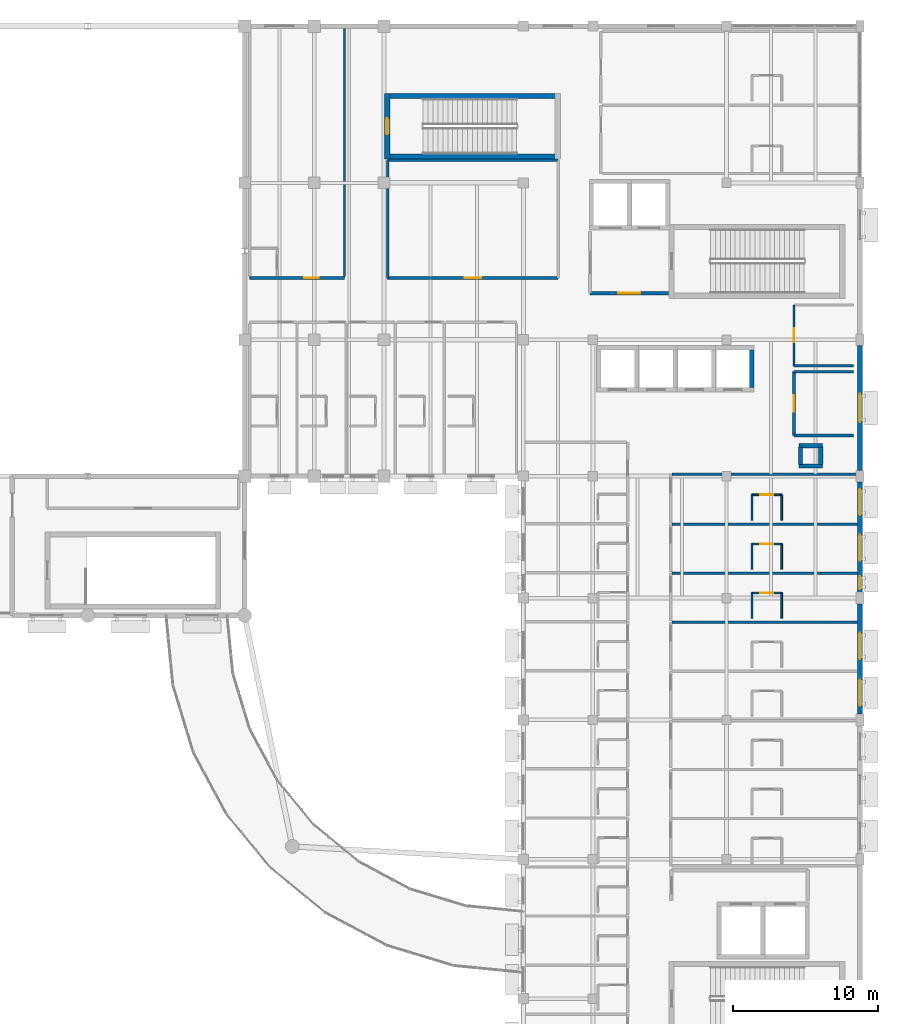
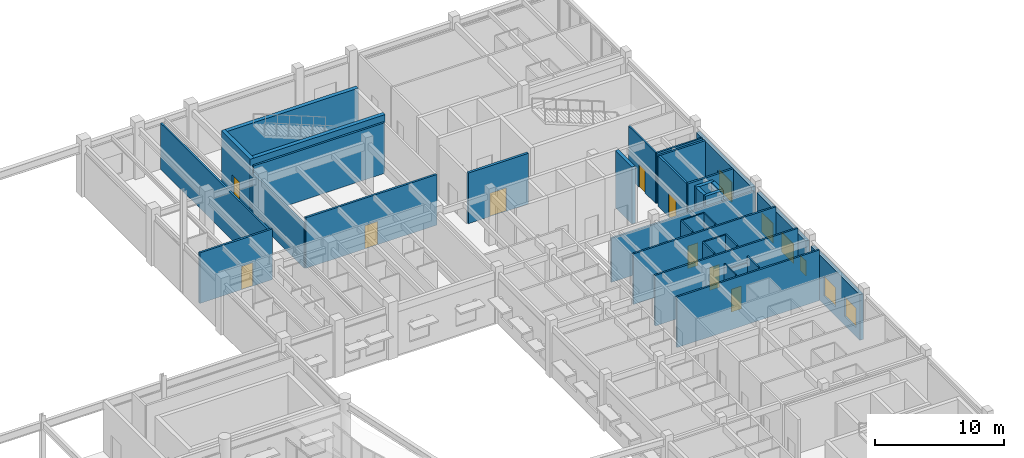
# One storey, part 55 of 68: 35 walls, 9 doors, 6 windows, 15 openings.
"""IFC4 building model written with IfcOpenShell, lengths in metres."""

from ifc_helpers import new_model, si_unit, direction, frame, frame_2d, origin, place, context, subcontext, project, spatial, rectangle, extrude, material, layer, layer_set, type_object, element, fill, save


model = new_model("IFC4")

# Units and contexts
model_context = context("Model", 3, precision=1e-05, world=origin(), true_north=direction((0.0, 1.0)))
body_context = subcontext(model_context, "Body", "Model", "MODEL_VIEW")
ifc_project = project(units=[si_unit("LENGTHUNIT", "METRE"), si_unit("AREAUNIT", "SQUARE_METRE"), si_unit("VOLUMEUNIT", "CUBIC_METRE"), si_unit("PLANEANGLEUNIT", "RADIAN"), si_unit("MASSUNIT", "GRAM", prefix="KILO")], contexts=[model_context])

# Site, building, storey
site_placement = place(None, origin())
site = spatial("IfcSite", under=ifc_project, at=site_placement, CompositionType="ELEMENT")
building_placement = place(site_placement, origin())
building = spatial("IfcBuilding", under=site, at=building_placement, Name="Veldera Park Congress Hotel", CompositionType="ELEMENT")
storey_placement = place(building_placement, frame((0.0, 0.0, 10.800048828125)))
storey = spatial("IfcBuildingStorey", under=building, at=storey_placement, Name="L02", CompositionType="ELEMENT", Elevation=10.800048828125)

# Wall, openings, windows
ifc_material_1 = material(Name="Cross-laminated timber CLT V2M1.1", Category="wood")
ifc_layer_1 = layer(ifc_material_1, 0.320068359375)
ifc_layer_set_1 = layer_set([ifc_layer_1], Name="Cross-laminated timber CLT V2M1.1")
wall_type_1 = type_object("IfcWallType", Name="EW-CLT320", PredefinedType="STANDARD", material=ifc_layer_set_1)
wall_1_placement = place(storey_placement, frame((84.0, 10.597900390625, 0.0), z_axis=(0.0, 0.0, 1.0), x_axis=(0.0, 1.0, 0.0)))
wall_1 = element("IfcWall", 1, at=wall_1_placement, inside=storey, type_object=wall_type_1, Name="L02 Exterior Wall EW3-L02-0182", PredefinedType="STANDARD", context=body_context, shape_type="SweptSolid", body=[
    extrude(rectangle(XDim=7.60400390625, YDim=0.320068359375, at=frame_2d((3.802001953125, 0.0))), origin(), (0.0, 0.0, 1.0), 4.33203125),
])
opening_1_placement = place(wall_1_placement, frame((0.575927734375, 0.0, 0.85009765625)))
opening_1 = element("IfcOpeningElement", 2, at=opening_1_placement, cuts=wall_1, Name="Opening WIN-1800", PredefinedType="OPENING", context=body_context, shape_type="SweptSolid", body=[
    extrude(rectangle(XDim=1.800048828125, YDim=1.85009765625, at=frame_2d((0.89990234375, 0.925048828125))), frame((0.0, 0.172119140625, 0.0), z_axis=(0.0, -1.0, 0.0), x_axis=(1.0, 0.0, 0.0)), (0.0, 0.0, 1.0), 0.343994140625),
])
opening_2_placement = place(wall_1_placement, frame((3.802001953125, 0.0, 0.85009765625)))
opening_2 = element("IfcOpeningElement", 3, at=opening_2_placement, cuts=wall_1, Name="Opening WIN-1800", PredefinedType="OPENING", context=body_context, shape_type="SweptSolid", body=[
    extrude(rectangle(XDim=1.800048828125, YDim=1.85009765625, at=frame_2d((0.89990234375, 0.925048828125))), frame((0.0, 0.172119140625, 0.0), z_axis=(0.0, -1.0, 0.0), x_axis=(1.0, 0.0, 0.0)), (0.0, 0.0, 1.0), 0.343994140625),
])
ifc_material_2 = material(Name="Low-E Triple Insulating Glass Unit (SHGC 0.22)", Category="glass")
window_type_1 = type_object("IfcWindowType", Name="WIN-1800", PartitioningType="SINGLE_PANEL", PredefinedType="WINDOW", material=ifc_material_2)
window_1_placement = place(opening_1_placement, origin())
window_1 = element("IfcWindow", 4, at=window_1_placement, inside=storey, type_object=window_type_1, Name="L02 Window WIN-1800 389", OverallHeight=1.85009765625, OverallWidth=1.800048828125, PartitioningType="SINGLE_PANEL", PredefinedType="WINDOW", context=body_context, shape_type="SweptSolid", body=[
    extrude(rectangle(XDim=1.800048828125, YDim=1.85009765625, at=frame_2d((0.89990234375, 0.925048828125))), frame((0.0, 0.030029296875, 0.0), z_axis=(0.0, -1.0, 0.0), x_axis=(1.0, 0.0, 0.0)), (0.0, 0.0, 1.0), 0.06005859375),
])
fill(opening_1, window_1)
window_2_placement = place(opening_2_placement, origin())
window_2 = element("IfcWindow", 5, at=window_2_placement, inside=storey, type_object=window_type_1, Name="L02 Window WIN-1800 390", OverallHeight=1.85009765625, OverallWidth=1.800048828125, PartitioningType="SINGLE_PANEL", PredefinedType="WINDOW", context=body_context, shape_type="SweptSolid", body=[
    extrude(rectangle(XDim=1.800048828125, YDim=1.85009765625, at=frame_2d((0.89990234375, 0.925048828125))), frame((0.0, 0.030029296875, 0.0), z_axis=(0.0, -1.0, 0.0), x_axis=(1.0, 0.0, 0.0)), (0.0, 0.0, 1.0), 0.06005859375),
])
fill(opening_2, window_2)

wall_2_placement = place(storey_placement, frame((84.0, 18.998046875, 0.0), z_axis=(0.0, 0.0, 1.0), x_axis=(0.0, 1.0, 0.0)))
wall_2 = element("IfcWall", 6, at=wall_2_placement, inside=storey, type_object=wall_type_1, Name="L02 Exterior Wall EW3-L02-0183", PredefinedType="STANDARD", context=body_context, shape_type="SweptSolid", body=[
    extrude(rectangle(XDim=7.60400390625, YDim=0.320068359375, at=frame_2d((3.802001953125, 0.0))), origin(), (0.0, 0.0, 1.0), 4.33203125),
])
opening_3_placement = place(wall_2_placement, frame((0.2060546875, 0.0, 0.85009765625)))
opening_3 = element("IfcOpeningElement", 7, at=opening_3_placement, cuts=wall_2, Name="Opening WIN-0900", PredefinedType="OPENING", context=body_context, shape_type="SweptSolid", body=[
    extrude(rectangle(XDim=0.89990234375, YDim=1.39990234375, at=frame_2d((0.449951171875, 0.699951171875))), frame((0.0, 0.172119140625, 0.0), z_axis=(0.0, -1.0, 0.0), x_axis=(1.0, 0.0, 0.0)), (0.0, 0.0, 1.0), 0.343994140625),
])
opening_4_placement = place(wall_2_placement, frame((2.162109375, 0.0, 0.85009765625)))
opening_4 = element("IfcOpeningElement", 8, at=opening_4_placement, cuts=wall_2, Name="Opening WIN-1800", PredefinedType="OPENING", context=body_context, shape_type="SweptSolid", body=[
    extrude(rectangle(XDim=1.800048828125, YDim=1.85009765625, at=frame_2d((0.89990234375, 0.925048828125))), frame((0.0, 0.172119140625, 0.0), z_axis=(0.0, -1.0, 0.0), x_axis=(1.0, 0.0, 0.0)), (0.0, 0.0, 1.0), 0.343994140625),
])
opening_5_placement = place(wall_2_placement, frame((5.30810546875, 0.0, 0.85009765625)))
opening_5 = element("IfcOpeningElement", 9, at=opening_5_placement, cuts=wall_2, Name="Opening WIN-1800", PredefinedType="OPENING", context=body_context, shape_type="SweptSolid", body=[
    extrude(rectangle(XDim=1.800048828125, YDim=1.85009765625, at=frame_2d((0.89990234375, 0.925048828125))), frame((0.0, 0.172119140625, 0.0), z_axis=(0.0, -1.0, 0.0), x_axis=(1.0, 0.0, 0.0)), (0.0, 0.0, 1.0), 0.343994140625),
])
window_type_2 = type_object("IfcWindowType", Name="WIN-0900", PartitioningType="SINGLE_PANEL", PredefinedType="WINDOW", material=ifc_material_2)
window_3_placement = place(opening_3_placement, origin())
window_3 = element("IfcWindow", 10, at=window_3_placement, inside=storey, type_object=window_type_2, Name="L02 Window WIN-0900 391", OverallHeight=1.39990234375, OverallWidth=0.89990234375, PartitioningType="SINGLE_PANEL", PredefinedType="WINDOW", context=body_context, shape_type="SweptSolid", body=[
    extrude(rectangle(XDim=0.89990234375, YDim=1.39990234375, at=frame_2d((0.449951171875, 0.699951171875))), frame((0.0, 0.030029296875, 0.0), z_axis=(0.0, -1.0, 0.0), x_axis=(1.0, 0.0, 0.0)), (0.0, 0.0, 1.0), 0.06005859375),
])
fill(opening_3, window_3)
window_4_placement = place(opening_4_placement, origin())
window_4 = element("IfcWindow", 11, at=window_4_placement, inside=storey, type_object=window_type_1, Name="L02 Window WIN-1800 392", OverallHeight=1.85009765625, OverallWidth=1.800048828125, PartitioningType="SINGLE_PANEL", PredefinedType="WINDOW", context=body_context, shape_type="SweptSolid", body=[
    extrude(rectangle(XDim=1.800048828125, YDim=1.85009765625, at=frame_2d((0.89990234375, 0.925048828125))), frame((0.0, 0.030029296875, 0.0), z_axis=(0.0, -1.0, 0.0), x_axis=(1.0, 0.0, 0.0)), (0.0, 0.0, 1.0), 0.06005859375),
])
fill(opening_4, window_4)
window_5_placement = place(opening_5_placement, origin())
window_5 = element("IfcWindow", 12, at=window_5_placement, inside=storey, type_object=window_type_1, Name="L02 Window WIN-1800 393", OverallHeight=1.85009765625, OverallWidth=1.800048828125, PartitioningType="SINGLE_PANEL", PredefinedType="WINDOW", context=body_context, shape_type="SweptSolid", body=[
    extrude(rectangle(XDim=1.800048828125, YDim=1.85009765625, at=frame_2d((0.89990234375, 0.925048828125))), frame((0.0, 0.030029296875, 0.0), z_axis=(0.0, -1.0, 0.0), x_axis=(1.0, 0.0, 0.0)), (0.0, 0.0, 1.0), 0.06005859375),
])
fill(opening_5, window_5)

# Wall, opening, window
wall_3_placement = place(storey_placement, frame((84.0, 27.39794921875, 0.0), z_axis=(0.0, 0.0, 1.0), x_axis=(0.0, 1.0, 0.0)))
wall_3 = element("IfcWall", 13, at=wall_3_placement, inside=storey, type_object=wall_type_1, Name="L02 Exterior Wall EW3-L02-0184", PredefinedType="STANDARD", context=body_context, shape_type="SweptSolid", body=[
    extrude(rectangle(XDim=8.60400390625, YDim=0.320068359375, at=frame_2d((4.302001953125, 0.0))), origin(), (0.0, 0.0, 1.0), 4.33203125),
])
opening_6_placement = place(wall_3_placement, frame((3.326904296875, 0.0, 0.85009765625)))
opening_6 = element("IfcOpeningElement", 14, at=opening_6_placement, cuts=wall_3, Name="Opening WIN-1950", PredefinedType="OPENING", context=body_context, shape_type="SweptSolid", body=[
    extrude(rectangle(XDim=1.949951171875, YDim=1.89990234375, at=frame_2d((0.97509765625, 0.949951171875))), frame((0.0, 0.172119140625, 0.0), z_axis=(0.0, -1.0, 0.0), x_axis=(1.0, 0.0, 0.0)), (0.0, 0.0, 1.0), 0.343994140625),
])
window_type_3 = type_object("IfcWindowType", Name="WIN-1950", PartitioningType="DOUBLE_PANEL_VERTICAL", PredefinedType="WINDOW", material=ifc_material_2)
window_6_placement = place(opening_6_placement, origin())
window_6 = element("IfcWindow", 15, at=window_6_placement, inside=storey, type_object=window_type_3, Name="L02 Window WIN-1950 180", OverallHeight=1.89990234375, OverallWidth=1.949951171875, PartitioningType="DOUBLE_PANEL_VERTICAL", PredefinedType="WINDOW", context=body_context, shape_type="SweptSolid", body=[
    extrude(rectangle(XDim=1.949951171875, YDim=1.89990234375, at=frame_2d((0.97509765625, 0.949951171875))), frame((0.0, 0.030029296875, 0.0), z_axis=(0.0, -1.0, 0.0), x_axis=(1.0, 0.0, 0.0)), (0.0, 0.0, 1.0), 0.06005859375),
])
fill(opening_6, window_6)

# Walls
ifc_material_3 = material(Name="Fire-Rated Gypsum Board on Cold-Formed Steel Studs", Category="steel")
ifc_layer_2 = layer(ifc_material_3, 0.1201171875)
ifc_layer_set_2 = layer_set([ifc_layer_2], Name="Fire-Rated Gypsum Board on Cold-Formed Steel Studs")
wall_type_2 = type_object("IfcWallType", Name="IW-BATH120", PredefinedType="PARTITIONING", material=ifc_layer_set_2)
for number, where, z_axis, x_axis, name in (
    (16, (76.550048828125, 17.199951171875, 0.0), (0.0, 0.0, 1.0), (0.0, 1.0, 0.0), "L02 Partition Wall IW3-L02-00532"),
    (17, (78.60009765625, 17.199951171875, 0.0), (0.0, 0.0, 1.0), (0.0, 1.0, 0.0), "L02 Partition Wall IW3-L02-00533"),
):
    element("IfcWall", number, at=place(storey_placement, frame(where, z_axis=z_axis, x_axis=x_axis)), inside=storey, type_object=wall_type_2, Name=name, PredefinedType="PARTITIONING", context=body_context, shape_type="SweptSolid", body=[
        extrude(rectangle(XDim=1.75, YDim=0.1201171875, at=frame_2d((0.875, 0.0))), origin(), (0.0, 0.0, 1.0), 4.800048828125),
    ])

# Wall, opening, door
wall_4_placement = place(storey_placement, frame((76.550048828125, 18.949951171875, 0.0), z_axis=(0.0, 0.0, 1.0), x_axis=(1.0, 0.0, 0.0)))
wall_4 = element("IfcWall", 18, at=wall_4_placement, inside=storey, type_object=wall_type_2, Name="L02 Partition Wall IW3-L02-00534", PredefinedType="PARTITIONING", context=body_context, shape_type="SweptSolid", body=[
    extrude(rectangle(XDim=2.050048828125, YDim=0.1201171875, at=frame_2d((1.02490234375, 0.0))), origin(), (0.0, 0.0, 1.0), 4.175048828125),
])
opening_7_placement = place(wall_4_placement, frame((0.574951171875, 0.0, 0.0)))
opening_7 = element("IfcOpeningElement", 19, at=opening_7_placement, cuts=wall_4, Name="Opening ID-BATH090", PredefinedType="OPENING", context=body_context, shape_type="SweptSolid", body=[
    extrude(rectangle(XDim=0.89990234375, YDim=2.14990234375, at=frame_2d((0.449951171875, 1.074951171875))), frame((0.0, 0.072021484375, 0.0), z_axis=(0.0, -1.0, 0.0), x_axis=(1.0, 0.0, 0.0)), (0.0, 0.0, 1.0), 0.14404296875),
])
ifc_material_4 = material(Name="Solid Core White Oak Architectural Door", Category="wood")
door_type_1 = type_object("IfcDoorType", Name="ID-BATH090", OperationType="NOTDEFINED", PredefinedType="DOOR", material=ifc_material_4)
door_1_placement = place(opening_7_placement, origin())
door_1 = element("IfcDoor", 20, at=door_1_placement, inside=storey, type_object=door_type_1, Name="L02 En-suite 038 Door ID3-L02-0215 (DR3-ID3-L02-0215)", OperationType="SINGLE_SWING_LEFT", OverallHeight=2.14990234375, OverallWidth=0.89990234375, PredefinedType="DOOR", context=body_context, shape_type="SweptSolid", body=[
    extrude(rectangle(XDim=0.89990234375, YDim=2.14990234375, at=frame_2d((0.449951171875, 1.074951171875))), frame((0.0, 0.02490234375, 0.0), z_axis=(0.0, -1.0, 0.0), x_axis=(1.0, 0.0, 0.0)), (0.0, 0.0, 1.0), 0.050048828125),
])
fill(opening_7, door_1)

# Walls
for number, where, z_axis, x_axis, name in (
    (21, (76.550048828125, 20.580078125, 0.0), (0.0, 0.0, 1.0), (0.0, 1.0, 0.0), "L02 Partition Wall IW3-L02-00537"),
    (22, (78.60009765625, 20.580078125, 0.0), (0.0, 0.0, 1.0), (0.0, 1.0, 0.0), "L02 Partition Wall IW3-L02-00538"),
):
    element("IfcWall", number, at=place(storey_placement, frame(where, z_axis=z_axis, x_axis=x_axis)), inside=storey, type_object=wall_type_2, Name=name, PredefinedType="PARTITIONING", context=body_context, shape_type="SweptSolid", body=[
        extrude(rectangle(XDim=1.75, YDim=0.1201171875, at=frame_2d((0.875, 0.0))), origin(), (0.0, 0.0, 1.0), 4.800048828125),
    ])

# Wall, opening, door
wall_5_placement = place(storey_placement, frame((76.550048828125, 22.330078125, 0.0), z_axis=(0.0, 0.0, 1.0), x_axis=(1.0, 0.0, 0.0)))
wall_5 = element("IfcWall", 23, at=wall_5_placement, inside=storey, type_object=wall_type_2, Name="L02 Partition Wall IW3-L02-00539", PredefinedType="PARTITIONING", context=body_context, shape_type="SweptSolid", body=[
    extrude(rectangle(XDim=2.050048828125, YDim=0.1201171875, at=frame_2d((1.02490234375, 0.0))), origin(), (0.0, 0.0, 1.0), 4.800048828125),
])
opening_8_placement = place(wall_5_placement, frame((0.574951171875, 0.0, 0.0)))
opening_8 = element("IfcOpeningElement", 24, at=opening_8_placement, cuts=wall_5, Name="Opening ID-BATH090", PredefinedType="OPENING", context=body_context, shape_type="SweptSolid", body=[
    extrude(rectangle(XDim=0.89990234375, YDim=2.14990234375, at=frame_2d((0.449951171875, 1.074951171875))), frame((0.0, 0.072021484375, 0.0), z_axis=(0.0, -1.0, 0.0), x_axis=(1.0, 0.0, 0.0)), (0.0, 0.0, 1.0), 0.14404296875),
])
door_2_placement = place(opening_8_placement, origin())
door_2 = element("IfcDoor", 25, at=door_2_placement, inside=storey, type_object=door_type_1, Name="L02 En-suite 039 Door ID3-L02-0217 (DR3-ID3-L02-0217)", OperationType="SINGLE_SWING_LEFT", OverallHeight=2.14990234375, OverallWidth=0.89990234375, PredefinedType="DOOR", context=body_context, shape_type="SweptSolid", body=[
    extrude(rectangle(XDim=0.89990234375, YDim=2.14990234375, at=frame_2d((0.449951171875, 1.074951171875))), frame((0.0, 0.02490234375, 0.0), z_axis=(0.0, -1.0, 0.0), x_axis=(1.0, 0.0, 0.0)), (0.0, 0.0, 1.0), 0.050048828125),
])
fill(opening_8, door_2)

# Walls
for number, where, z_axis, x_axis, name in (
    (26, (76.550048828125, 23.9599609375, 0.0), (0.0, 0.0, 1.0), (0.0, 1.0, 0.0), "L02 Partition Wall IW3-L02-00542"),
    (27, (78.60009765625, 23.9599609375, 0.0), (0.0, 0.0, 1.0), (0.0, 1.0, 0.0), "L02 Partition Wall IW3-L02-00543"),
):
    element("IfcWall", number, at=place(storey_placement, frame(where, z_axis=z_axis, x_axis=x_axis)), inside=storey, type_object=wall_type_2, Name=name, PredefinedType="PARTITIONING", context=body_context, shape_type="SweptSolid", body=[
        extrude(rectangle(XDim=1.75, YDim=0.1201171875, at=frame_2d((0.875, 0.0))), origin(), (0.0, 0.0, 1.0), 4.800048828125),
    ])

# Wall, opening, door
wall_6_placement = place(storey_placement, frame((76.550048828125, 25.7099609375, 0.0), z_axis=(0.0, 0.0, 1.0), x_axis=(1.0, 0.0, 0.0)))
wall_6 = element("IfcWall", 28, at=wall_6_placement, inside=storey, type_object=wall_type_2, Name="L02 Partition Wall IW3-L02-00544", PredefinedType="PARTITIONING", context=body_context, shape_type="SweptSolid", body=[
    extrude(rectangle(XDim=2.050048828125, YDim=0.1201171875, at=frame_2d((1.02490234375, 0.0))), origin(), (0.0, 0.0, 1.0), 4.800048828125),
])
opening_9_placement = place(wall_6_placement, frame((0.574951171875, 0.0, 0.0)))
opening_9 = element("IfcOpeningElement", 29, at=opening_9_placement, cuts=wall_6, Name="Opening ID-BATH090", PredefinedType="OPENING", context=body_context, shape_type="SweptSolid", body=[
    extrude(rectangle(XDim=0.89990234375, YDim=2.14990234375, at=frame_2d((0.449951171875, 1.074951171875))), frame((0.0, 0.072021484375, 0.0), z_axis=(0.0, -1.0, 0.0), x_axis=(1.0, 0.0, 0.0)), (0.0, 0.0, 1.0), 0.14404296875),
])
door_3_placement = place(opening_9_placement, origin())
door_3 = element("IfcDoor", 30, at=door_3_placement, inside=storey, type_object=door_type_1, Name="L02 En-suite 040 Door ID3-L02-0219 (DR3-ID3-L02-0219)", OperationType="SINGLE_SWING_LEFT", OverallHeight=2.14990234375, OverallWidth=0.89990234375, PredefinedType="DOOR", context=body_context, shape_type="SweptSolid", body=[
    extrude(rectangle(XDim=0.89990234375, YDim=2.14990234375, at=frame_2d((0.449951171875, 1.074951171875))), frame((0.0, 0.02490234375, 0.0), z_axis=(0.0, -1.0, 0.0), x_axis=(1.0, 0.0, 0.0)), (0.0, 0.0, 1.0), 0.050048828125),
])
fill(opening_9, door_3)

# Walls
ifc_layer_3 = layer(ifc_material_3, 0.179931640625)
ifc_layer_set_3 = layer_set([ifc_layer_3], Name="Fire-Rated Gypsum Board on Cold-Formed Steel Studs")
wall_type_3 = type_object("IfcWallType", Name="IW-CORR180", PredefinedType="PARTITIONING", material=ifc_layer_set_3)
for number, where, z_axis, x_axis, name in (
    (31, (79.449951171875, 29.800048828125, 0.0), (0.0, 0.0, 1.0), (1.0, 0.0, 0.0), "L02 Partition Wall IW3-L02-00201"),
    (32, (83.550048828125, 34.199951171875, 0.0), (0.0, 0.0, 1.0), (-1.0, 0.0, 0.0), "L02 Partition Wall IW3-L02-00202"),
):
    element("IfcWall", number, at=place(storey_placement, frame(where, z_axis=z_axis, x_axis=x_axis)), inside=storey, type_object=wall_type_3, Name=name, PredefinedType="PARTITIONING", context=body_context, shape_type="SweptSolid", body=[
        extrude(rectangle(XDim=4.10009765625, YDim=0.179931640625, at=frame_2d((2.050048828125, 0.0))), origin(), (0.0, 0.0, 1.0), 4.800048828125),
    ])

# Wall, opening, door
wall_7_placement = place(storey_placement, frame((79.449951171875, 34.199951171875, 0.0), z_axis=(0.0, 0.0, 1.0), x_axis=(0.0, -1.0, 0.0)))
wall_7 = element("IfcWall", 33, at=wall_7_placement, inside=storey, type_object=wall_type_3, Name="L02 Partition Wall IW3-L02-00203", PredefinedType="PARTITIONING", context=body_context, shape_type="SweptSolid", body=[
    extrude(rectangle(XDim=4.39990234375, YDim=0.179931640625, at=frame_2d((2.199951171875, 0.0))), origin(), (0.0, 0.0, 1.0), 4.800048828125),
])
opening_10_placement = place(wall_7_placement, frame((1.625, 0.0, 0.0)))
opening_10 = element("IfcOpeningElement", 34, at=opening_10_placement, cuts=wall_7, Name="Opening ID-MEET115", PredefinedType="OPENING", context=body_context, shape_type="SweptSolid", body=[
    extrude(rectangle(XDim=1.14990234375, YDim=2.199951171875, at=frame_2d((0.574951171875, 1.10009765625))), frame((0.0, 0.10205078125, 0.0), z_axis=(0.0, -1.0, 0.0), x_axis=(1.0, 0.0, 0.0)), (0.0, 0.0, 1.0), 0.203857421875),
])
door_type_2 = type_object("IfcDoorType", Name="ID-MEET115", OperationType="NOTDEFINED", PredefinedType="DOOR", material=ifc_material_4)
door_4_placement = place(opening_10_placement, origin())
door_4 = element("IfcDoor", 35, at=door_4_placement, inside=storey, type_object=door_type_2, Name="L02 L02 Housekeeping and Linen Store Door ID3-L02-0071 (DR3-ID3-L02-0071)", OperationType="SINGLE_SWING_LEFT", OverallHeight=2.199951171875, OverallWidth=1.14990234375, PredefinedType="DOOR", context=body_context, shape_type="SweptSolid", body=[
    extrude(rectangle(XDim=1.14990234375, YDim=2.199951171875, at=frame_2d((0.574951171875, 1.10009765625))), frame((0.0, 0.02490234375, 0.0), z_axis=(0.0, -1.0, 0.0), x_axis=(1.0, 0.0, 0.0)), (0.0, 0.0, 1.0), 0.050048828125),
])
fill(opening_10, door_4)

wall_8_placement = place(storey_placement, frame((51.449951171875, 40.64990234375, 0.0), z_axis=(0.0, 0.0, 1.0), x_axis=(1.0, 0.0, 0.0)))
wall_8 = element("IfcWall", 36, at=wall_8_placement, inside=storey, type_object=wall_type_3, Name="L02 Partition Wall IW3-L02-00207", PredefinedType="PARTITIONING", context=body_context, shape_type="SweptSolid", body=[
    extrude(rectangle(XDim=11.75, YDim=0.179931640625, at=frame_2d((5.875, 0.0))), origin(), (0.0, 0.0, 1.0), 4.800048828125),
])
opening_11_placement = place(wall_8_placement, frame((5.300048828125, 0.0, 0.0)))
opening_11 = element("IfcOpeningElement", 37, at=opening_11_placement, cuts=wall_8, Name="Opening ID-MEET115", PredefinedType="OPENING", context=body_context, shape_type="SweptSolid", body=[
    extrude(rectangle(XDim=1.14990234375, YDim=2.199951171875, at=frame_2d((0.574951171875, 1.10009765625))), frame((0.0, 0.10205078125, 0.0), z_axis=(0.0, -1.0, 0.0), x_axis=(1.0, 0.0, 0.0)), (0.0, 0.0, 1.0), 0.203857421875),
])
door_5_placement = place(opening_11_placement, origin())
door_5 = element("IfcDoor", 38, at=door_5_placement, inside=storey, type_object=door_type_2, Name="L02 L02 North Garden Executive Boardroom Door ID3-L02-0073 (DR3-ID3-L02-0073)", OperationType="SINGLE_SWING_LEFT", OverallHeight=2.199951171875, OverallWidth=1.14990234375, PredefinedType="DOOR", context=body_context, shape_type="SweptSolid", body=[
    extrude(rectangle(XDim=1.14990234375, YDim=2.199951171875, at=frame_2d((0.574951171875, 1.10009765625))), frame((0.0, 0.02490234375, 0.0), z_axis=(0.0, -1.0, 0.0), x_axis=(1.0, 0.0, 0.0)), (0.0, 0.0, 1.0), 0.050048828125),
])
fill(opening_11, door_5)

# Walls
wall_9_placement = place(storey_placement, frame((63.199951171875, 48.75, 0.0), z_axis=(0.0, 0.0, 1.0), x_axis=(-1.0, 0.0, 0.0)))
element("IfcWall", 39, at=wall_9_placement, inside=storey, type_object=wall_type_3, Name="L02 Partition Wall IW3-L02-00209", PredefinedType="PARTITIONING", context=body_context, shape_type="SweptSolid", body=[
    extrude(rectangle(XDim=11.75, YDim=0.179931640625, at=frame_2d((5.875, 0.0))), origin(), (0.0, 0.0, 1.0), 4.800048828125),
])
wall_10_placement = place(storey_placement, frame((51.449951171875, 48.75, 0.0), z_axis=(0.0, 0.0, 1.0), x_axis=(0.0, -1.0, 0.0)))
element("IfcWall", 40, at=wall_10_placement, inside=storey, type_object=wall_type_3, Name="L02 Partition Wall IW3-L02-00210", PredefinedType="PARTITIONING", context=body_context, shape_type="SweptSolid", body=[
    extrude(rectangle(XDim=8.10009765625, YDim=0.179931640625, at=frame_2d((4.050048828125, 0.0))), origin(), (0.0, 0.0, 1.0), 4.155029296875),
])

# Wall, opening, door
wall_11_placement = place(storey_placement, frame((41.949951171875, 40.64990234375, 0.0), z_axis=(0.0, 0.0, 1.0), x_axis=(1.0, 0.0, 0.0)))
wall_11 = element("IfcWall", 41, at=wall_11_placement, inside=storey, type_object=wall_type_3, Name="L02 Corridor Wall IW3-L02-00582", PredefinedType="PARTITIONING", context=body_context, shape_type="SweptSolid", body=[
    extrude(rectangle(XDim=6.530029296875, YDim=0.179931640625, at=frame_2d((3.26513671875, 0.0))), origin(), (0.0, 0.0, 1.0), 4.800048828125),
])
opening_12_placement = place(wall_11_placement, frame((3.7451171875, 0.0, 0.0)))
opening_12 = element("IfcOpeningElement", 42, at=opening_12_placement, cuts=wall_11, Name="Opening ID-UNIT100", PredefinedType="OPENING", context=body_context, shape_type="SweptSolid", body=[
    extrude(rectangle(XDim=1.0, YDim=2.199951171875, at=frame_2d((0.5, 1.10009765625))), frame((0.0, 0.10205078125, 0.0), z_axis=(0.0, -1.0, 0.0), x_axis=(1.0, 0.0, 0.0)), (0.0, 0.0, 1.0), 0.203857421875),
])
door_type_3 = type_object("IfcDoorType", Name="ID-UNIT100", OperationType="NOTDEFINED", PredefinedType="DOOR", material=ifc_material_4)
door_6_placement = place(opening_12_placement, frame((1.0, 0.0, 0.0), z_axis=(0.0, 0.0, 1.0), x_axis=(-1.0, 0.0, 0.0)))
door_6 = element("IfcDoor", 43, at=door_6_placement, inside=storey, type_object=door_type_3, Name="L02 Guestroom 048 Entry Door (DR3-UD3-L02-048)", OperationType="SINGLE_SWING_RIGHT", OverallHeight=2.199951171875, OverallWidth=1.0, PredefinedType="DOOR", context=body_context, shape_type="SweptSolid", body=[
    extrude(rectangle(XDim=1.0, YDim=2.199951171875, at=frame_2d((0.5, 1.10009765625))), frame((0.0, 0.02490234375, 0.0), z_axis=(0.0, -1.0, 0.0), x_axis=(1.0, 0.0, 0.0)), (0.0, 0.0, 1.0), 0.050048828125),
])
fill(opening_12, door_6)

ifc_material_5 = material(Name="Concrete f'c 40 MPa (5,800 psi)", Category="concrete")
ifc_layer_4 = layer(ifc_material_5, 0.219970703125)
ifc_layer_set_4 = layer_set([ifc_layer_4], Name="Concrete f'c 40 MPa (5,800 psi)")
wall_type_4 = type_object("IfcWallType", Name="IW-FIRE220", PredefinedType="STANDARD", material=ifc_layer_set_4)
wall_12_placement = place(storey_placement, frame((65.39990234375, 39.60009765625, 0.0), z_axis=(0.0, 0.0, 1.0), x_axis=(1.0, 0.0, 0.0)))
wall_12 = element("IfcWall", 44, at=wall_12_placement, inside=storey, type_object=wall_type_4, Name="L02 Partition Wall IW3-L02-00169", PredefinedType="STANDARD", context=body_context, shape_type="SweptSolid", body=[
    extrude(rectangle(XDim=5.400146484375, YDim=0.219970703125, at=frame_2d((2.7001953125, 0.0))), origin(), (0.0, 0.0, 1.0), 4.800048828125),
])
opening_13_placement = place(wall_12_placement, frame((1.949951171875, 0.0, 0.0)))
opening_13 = element("IfcOpeningElement", 45, at=opening_13_placement, cuts=wall_12, Name="Opening ID-LOB150", PredefinedType="OPENING", context=body_context, shape_type="SweptSolid", body=[
    extrude(rectangle(XDim=1.5, YDim=2.199951171875, at=frame_2d((0.75, 1.10009765625))), frame((0.0, 0.1220703125, 0.0), z_axis=(0.0, -1.0, 0.0), x_axis=(1.0, 0.0, 0.0)), (0.0, 0.0, 1.0), 0.243896484375),
])
ifc_material_6 = material(Name="Hollow Metal Fire-Rated Steel Door", Category="steel")
door_type_4 = type_object("IfcDoorType", Name="ID-LOB150", OperationType="DOUBLE_DOOR_SINGLE_SWING", PredefinedType="DOOR", material=ifc_material_6)
door_7_placement = place(opening_13_placement, origin())
door_7 = element("IfcDoor", 46, at=door_7_placement, inside=storey, type_object=door_type_4, Name="L02 Firefighting Lobby Door ID3-L02-0059 (DR3-ID3-L02-0059)", OperationType="DOUBLE_DOOR_SINGLE_SWING", OverallHeight=2.199951171875, OverallWidth=1.5, PredefinedType="DOOR", context=body_context, shape_type="SweptSolid", body=[
    extrude(rectangle(XDim=1.5, YDim=2.199951171875, at=frame_2d((0.75, 1.10009765625))), frame((0.0, 0.02490234375, 0.0), z_axis=(0.0, -1.0, 0.0), x_axis=(1.0, 0.0, 0.0)), (0.0, 0.0, 1.0), 0.050048828125),
])
fill(opening_13, door_7)

# Wall
ifc_layer_5 = layer(ifc_material_3, 0.14990234375)
ifc_layer_set_5 = layer_set([ifc_layer_5], Name="Fire-Rated Gypsum Board on Cold-Formed Steel Studs")
wall_type_5 = type_object("IfcWallType", Name="IW-PLMB150", PredefinedType="PLUMBINGWALL", material=ifc_layer_set_5)
wall_13_placement = place(storey_placement, frame((79.449951171875, 34.60009765625, 0.0), z_axis=(0.0, 0.0, 1.0), x_axis=(1.0, 0.0, 0.0)))
element("IfcWall", 47, at=wall_13_placement, inside=storey, type_object=wall_type_5, Name="L02 Partition Wall IW3-L02-00204", PredefinedType="PLUMBINGWALL", context=body_context, shape_type="SweptSolid", body=[
    extrude(rectangle(XDim=4.10009765625, YDim=0.14990234375, at=frame_2d((2.050048828125, 0.0))), origin(), (0.0, 0.0, 1.0), 4.800048828125),
])

# Wall, opening, door
wall_14_placement = place(storey_placement, frame((79.449951171875, 38.800048828125, 0.0), z_axis=(0.0, 0.0, 1.0), x_axis=(0.0, -1.0, 0.0)))
wall_14 = element("IfcWall", 48, at=wall_14_placement, inside=storey, type_object=wall_type_5, Name="L02 Partition Wall IW3-L02-00206", PredefinedType="PLUMBINGWALL", context=body_context, shape_type="SweptSolid", body=[
    extrude(rectangle(XDim=4.199951171875, YDim=0.14990234375, at=frame_2d((2.10009765625, 0.0))), origin(), (0.0, 0.0, 1.0), 4.800048828125),
])
opening_14_placement = place(wall_14_placement, frame((1.625, 0.0, 0.0)))
opening_14 = element("IfcOpeningElement", 49, at=opening_14_placement, cuts=wall_14, Name="Opening ID-WC095", PredefinedType="OPENING", context=body_context, shape_type="SweptSolid", body=[
    extrude(rectangle(XDim=0.949951171875, YDim=2.14990234375, at=frame_2d((0.47509765625, 1.074951171875))), frame((0.0, 0.0869140625, 0.0), z_axis=(0.0, -1.0, 0.0), x_axis=(1.0, 0.0, 0.0)), (0.0, 0.0, 1.0), 0.173828125),
])
door_type_5 = type_object("IfcDoorType", Name="ID-WC095", OperationType="NOTDEFINED", PredefinedType="DOOR", material=ifc_material_4)
door_8_placement = place(opening_14_placement, origin())
door_8 = element("IfcDoor", 50, at=door_8_placement, inside=storey, type_object=door_type_5, Name="L02 L02 Public Accessible WC Door ID3-L02-0072 (DR3-ID3-L02-0072)", OperationType="SINGLE_SWING_RIGHT", OverallHeight=2.14990234375, OverallWidth=0.949951171875, PredefinedType="DOOR", context=body_context, shape_type="SweptSolid", body=[
    extrude(rectangle(XDim=0.949951171875, YDim=2.14990234375, at=frame_2d((0.47509765625, 1.074951171875))), frame((0.0, 0.02490234375, 0.0), z_axis=(0.0, -1.0, 0.0), x_axis=(1.0, 0.0, 0.0)), (0.0, 0.0, 1.0), 0.050048828125),
])
fill(opening_14, door_8)

# Walls
ifc_layer_6 = layer(ifc_material_1, 0.159912109375)
ifc_layer_set_6 = layer_set([ifc_layer_6], Name="Cross-laminated timber CLT V2M1.1")
wall_type_6 = type_object("IfcWallType", Name="IW-UNIT160", PredefinedType="PARTITIONING", material=ifc_layer_set_6)
for number, where, z_axis, x_axis, name in (
    (51, (71.050048828125, 16.929931640625, 0.0), (0.0, 0.0, 1.0), (1.0, 0.0, 0.0), "L02 Partition Wall IW3-L02-00526"),
    (52, (71.050048828125, 20.31005859375, 0.0), (0.0, 0.0, 1.0), (1.0, 0.0, 0.0), "L02 Partition Wall IW3-L02-00531"),
    (53, (71.050048828125, 23.68994140625, 0.0), (0.0, 0.0, 1.0), (1.0, 0.0, 0.0), "L02 Partition Wall IW3-L02-00536"),
):
    element("IfcWall", number, at=place(storey_placement, frame(where, z_axis=z_axis, x_axis=x_axis)), inside=storey, type_object=wall_type_6, Name=name, PredefinedType="PARTITIONING", context=body_context, shape_type="SweptSolid", body=[
        extrude(rectangle(XDim=12.7900390625, YDim=0.159912109375, at=frame_2d((6.39501953125, 0.0))), origin(), (0.0, 0.0, 1.0), 4.800048828125),
    ])
wall_15_placement = place(storey_placement, frame((71.050048828125, 27.1298828125, 0.0), z_axis=(0.0, 0.0, 1.0), x_axis=(1.0, 0.0, 0.0)))
element("IfcWall", 54, at=wall_15_placement, inside=storey, type_object=wall_type_6, Name="L02 Partition Wall IW3-L02-00541", PredefinedType="PARTITIONING", context=body_context, shape_type="SweptSolid", body=[
    extrude(rectangle(XDim=12.7900390625, YDim=0.159912109375, at=frame_2d((6.39501953125, 0.0))), origin(), (0.0, 0.0, 1.0), 4.175048828125),
])
wall_16_placement = place(storey_placement, frame((48.47998046875, 40.75, 0.0), z_axis=(0.0, 0.0, 1.0), x_axis=(0.0, 1.0, 0.0)))
element("IfcWall", 55, at=wall_16_placement, inside=storey, type_object=wall_type_6, Name="L02 Partition Wall IW3-L02-00584", PredefinedType="PARTITIONING", context=body_context, shape_type="SweptSolid", body=[
    extrude(rectangle(XDim=17.090087890625, YDim=0.159912109375, at=frame_2d((8.544921875, 0.0))), origin(), (0.0, 0.0, 1.0), 4.3779296875),
])
ifc_layer_7 = layer(ifc_material_5, 0.35009765625)
ifc_layer_set_7 = layer_set([ifc_layer_7], Name="Concrete f'c 40 MPa (5,800 psi)")
wall_type_7 = type_object("IfcWallType", Name="SW-CORE350", PredefinedType="SHEAR", material=ifc_layer_set_7)
for number, where, z_axis, x_axis, name in (
    (56, (51.25, 49.02490234375, 0.0), (0.0, 0.0, 1.0), (1.0, 0.0, 0.0), "Stair ST3 Core Wall L02-S"),
    (57, (63.35009765625, 53.175048828125, 0.0), (0.0, 0.0, 1.0), (-1.0, 0.0, 0.0), "Stair ST3 Core Wall L02-N"),
):
    element("IfcWall", number, at=place(storey_placement, frame(where, z_axis=z_axis, x_axis=x_axis)), inside=storey, type_object=wall_type_7, Name=name, PredefinedType="SHEAR", context=body_context, shape_type="SweptSolid", body=[
        extrude(rectangle(XDim=12.10009765625, YDim=0.35009765625, at=frame_2d((6.050048828125, 0.0))), origin(), (0.0, 0.0, 1.0), 5.39990234375),
    ])

# Wall, opening, door
wall_17_placement = place(storey_placement, frame((51.425048828125, 53.35009765625, 0.0), z_axis=(0.0, 0.0, 1.0), x_axis=(0.0, -1.0, 0.0)))
wall_17 = element("IfcWall", 58, at=wall_17_placement, inside=storey, type_object=wall_type_7, Name="Stair ST3 Core Wall L02-W", PredefinedType="SHEAR", context=body_context, shape_type="SweptSolid", body=[
    extrude(rectangle(XDim=4.5, YDim=0.35009765625, at=frame_2d((2.25, 0.0))), origin(), (0.0, 0.0, 1.0), 5.39990234375),
])
opening_15_placement = place(wall_17_placement, frame((1.699951171875, 0.0, 0.0)))
opening_15 = element("IfcOpeningElement", 59, at=opening_15_placement, cuts=wall_17, Name="Opening ID-STAIR110", PredefinedType="OPENING", context=body_context, shape_type="SweptSolid", body=[
    extrude(rectangle(XDim=1.10009765625, YDim=2.199951171875, at=frame_2d((0.550048828125, 1.10009765625))), frame((0.0, 0.18701171875, 0.0), z_axis=(0.0, -1.0, 0.0), x_axis=(1.0, 0.0, 0.0)), (0.0, 0.0, 1.0), 0.3740234375),
])
door_type_6 = type_object("IfcDoorType", Name="ID-STAIR110", OperationType="NOTDEFINED", PredefinedType="DOOR", material=ifc_material_6)
door_9_placement = place(opening_15_placement, origin())
door_9 = element("IfcDoor", 60, at=door_9_placement, inside=storey, type_object=door_type_6, Name="L02 Stair ST3 Fire Door (DR3-SD-ST3-L02)", OperationType="SINGLE_SWING_RIGHT", OverallHeight=2.199951171875, OverallWidth=1.10009765625, PredefinedType="DOOR", context=body_context, shape_type="SweptSolid", body=[
    extrude(rectangle(XDim=1.10009765625, YDim=2.199951171875, at=frame_2d((0.550048828125, 1.10009765625))), frame((0.0, 0.02490234375, 0.0), z_axis=(0.0, -1.0, 0.0), x_axis=(1.0, 0.0, 0.0)), (0.0, 0.0, 1.0), 0.050048828125),
])
fill(opening_15, door_9)

# Walls
ifc_layer_8 = layer(ifc_material_5, 0.300048828125)
ifc_layer_set_8 = layer_set([ifc_layer_8], Name="Concrete f'c 40 MPa (5,800 psi)")
wall_type_8 = type_object("IfcWallType", Name="SW-SHFT300", PredefinedType="SHEAR", material=ifc_layer_set_8)
for number, where, z_axis, x_axis, name in (
    (61, (79.800048828125, 27.699951171875, 0.0), (0.0, 0.0, 1.0), (1.0, 0.0, 0.0), "MEP Riser Shaft Wall L02-S"),
    (62, (81.39990234375, 29.10009765625, 0.0), (0.0, 0.0, 1.0), (-1.0, 0.0, 0.0), "MEP Riser Shaft Wall L02-N"),
):
    element("IfcWall", number, at=place(storey_placement, frame(where, z_axis=z_axis, x_axis=x_axis)), inside=storey, type_object=wall_type_8, Name=name, PredefinedType="SHEAR", context=body_context, shape_type="SweptSolid", body=[
        extrude(rectangle(XDim=1.599853515625, YDim=0.300048828125, at=frame_2d((0.7998046875, 0.0))), origin(), (0.0, 0.0, 1.0), 4.800048828125),
    ])
for number, where, z_axis, x_axis, name in (
    (63, (79.89990234375, 29.0, 0.0), (0.0, 0.0, 1.0), (0.0, -1.0, 0.0), "MEP Riser Shaft Wall L02-W"),
    (64, (81.300048828125, 27.800048828125, 0.0), (0.0, 0.0, 1.0), (0.0, 1.0, 0.0), "MEP Riser Shaft Wall L02-E"),
):
    element("IfcWall", number, at=place(storey_placement, frame(where, z_axis=z_axis, x_axis=x_axis)), inside=storey, type_object=wall_type_8, Name=name, PredefinedType="SHEAR", context=body_context, shape_type="SweptSolid", body=[
        extrude(rectangle(XDim=1.199951171875, YDim=0.300048828125, at=frame_2d((0.60009765625, 0.0))), origin(), (0.0, 0.0, 1.0), 4.800048828125),
    ])
wall_18_placement = place(storey_placement, frame((76.550048828125, 33.10009765625, 0.0), z_axis=(0.0, 0.0, 1.0), x_axis=(0.0, 1.0, 0.0)))
element("IfcWall", 65, at=wall_18_placement, inside=storey, type_object=wall_type_8, Name="Lift PL-04 Shaft Wall L02-E", PredefinedType="SHEAR", context=body_context, shape_type="SweptSolid", body=[
    extrude(rectangle(XDim=2.599853515625, YDim=0.300048828125, at=frame_2d((1.2998046875, 0.0))), origin(), (0.0, 0.0, 1.0), 5.39990234375),
])

save(model, "model.ifc")
